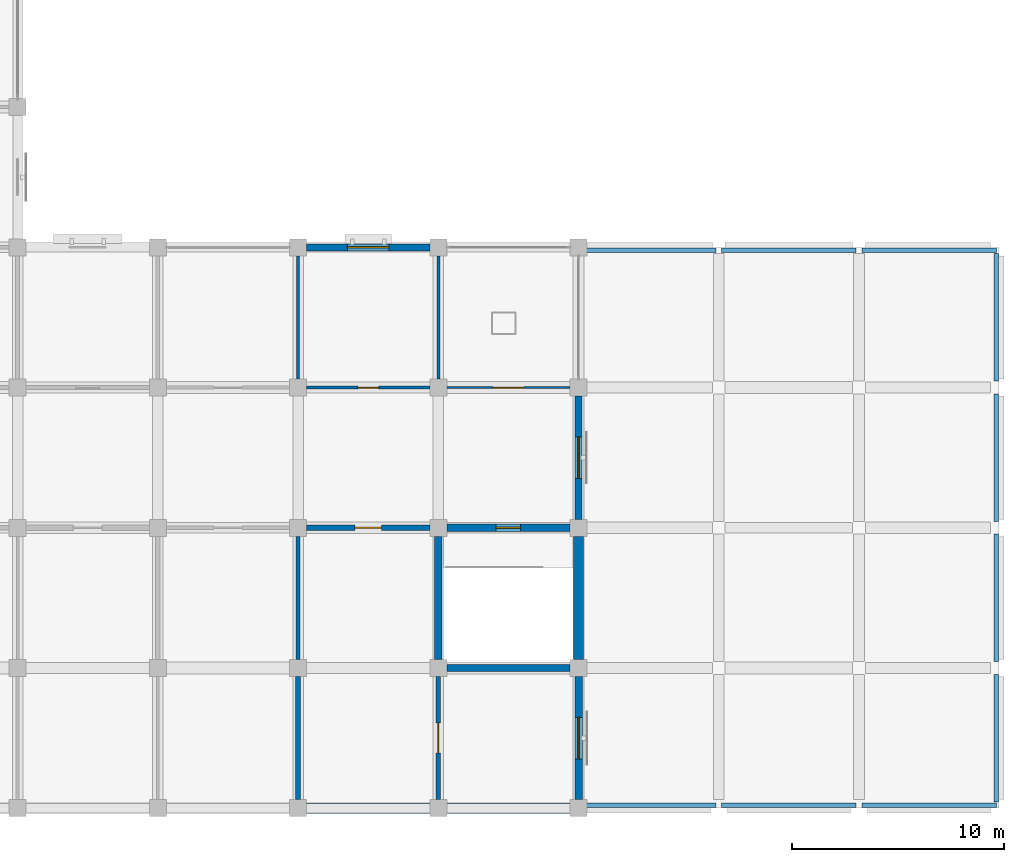
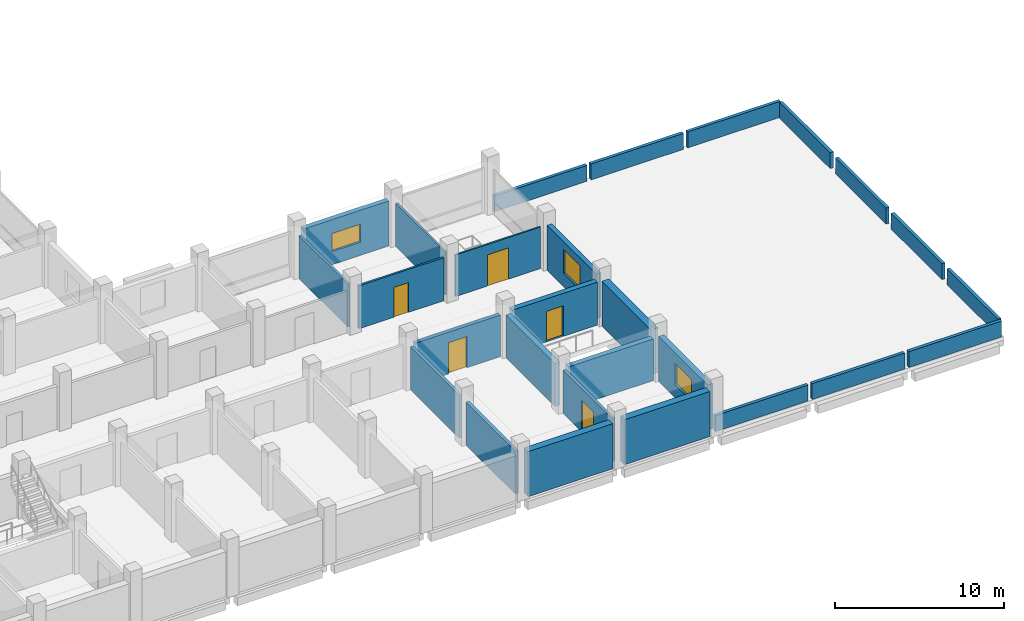
# One storey, part 21 of 30: 27 walls, 5 doors, 3 windows, 8 openings.
"""IFC4 building model written with IfcOpenShell, lengths in metres."""

from ifc_helpers import new_model, si_unit, direction, frame, frame_2d, origin, place, context, subcontext, project, spatial, rectangle, extrude, material, layer, layer_set, type_object, element, fill, save


model = new_model("IFC4")

# Units and contexts
model_context = context("Model", 3, precision=1e-05, world=origin(), true_north=direction((0.0, 1.0)))
body_context = subcontext(model_context, "Body", "Model", "MODEL_VIEW")
ifc_project = project(units=[si_unit("LENGTHUNIT", "METRE"), si_unit("AREAUNIT", "SQUARE_METRE"), si_unit("VOLUMEUNIT", "CUBIC_METRE"), si_unit("PLANEANGLEUNIT", "RADIAN"), si_unit("MASSUNIT", "GRAM", prefix="KILO")], contexts=[model_context])

# Site, building, storey
site_placement = place(None, origin())
site = spatial("IfcSite", under=ifc_project, at=site_placement, CompositionType="ELEMENT")
building_placement = place(site_placement, origin())
building = spatial("IfcBuilding", under=site, at=building_placement, Name="Rusizi Kubbe Research Institute", CompositionType="ELEMENT")
storey_placement = place(building_placement, frame((0.0, 0.0, 10.199951171875)))
storey = spatial("IfcBuildingStorey", under=building, at=storey_placement, Name="L02", CompositionType="ELEMENT", Elevation=10.199951171875)

# Wall
ifc_material_1 = material(Name="Concrete C45/55", Category="concrete")
ifc_layer_1 = layer(ifc_material_1, 0.35009765625)
ifc_layer_set_1 = layer_set([ifc_layer_1], Name="Concrete C45/55")
wall_type_1 = type_object("IfcWallType", Name="CRW-01", PredefinedType="SHEAR", material=ifc_layer_set_1)
wall_1_placement = place(storey_placement, frame((73.0, 6.60009765625, 0.0), z_axis=(0.0, 0.0, 1.0), x_axis=(1.0, 0.0, 0.0)))
element("IfcWall", 1, at=wall_1_placement, inside=storey, type_object=wall_type_1, Name="Stair Core Shear Wall ST7 L02 S", PredefinedType="SHEAR", context=body_context, shape_type="SweptSolid", body=[
    extrude(rectangle(XDim=5.800048828125, YDim=0.35009765625, at=frame_2d((2.89990234375, 0.0))), origin(), (0.0, 0.0, 1.0), 3.0),
])

# Wall, opening, door
wall_2_placement = place(storey_placement, frame((73.0, 13.199951171875, 0.0), z_axis=(0.0, 0.0, 1.0), x_axis=(1.0, 0.0, 0.0)))
wall_2 = element("IfcWall", 2, at=wall_2_placement, inside=storey, type_object=wall_type_1, Name="Stair Core Shear Wall ST7 L02 N", PredefinedType="SHEAR", context=body_context, shape_type="SweptSolid", body=[
    extrude(rectangle(XDim=5.800048828125, YDim=0.35009765625, at=frame_2d((2.89990234375, 0.0))), origin(), (0.0, 0.0, 1.0), 3.10009765625),
])
opening_1_placement = place(wall_2_placement, frame((2.324951171875, 0.0, 0.0)))
opening_1 = element("IfcOpeningElement", 3, at=opening_1_placement, cuts=wall_2, Name="Opening D-02", PredefinedType="OPENING", context=body_context, shape_type="SweptSolid", body=[
    extrude(rectangle(XDim=1.14990234375, YDim=2.199951171875, at=frame_2d((0.574951171875, 1.10009765625))), frame((0.0, 0.18505859375, 0.0), z_axis=(0.0, -1.0, 0.0), x_axis=(1.0, 0.0, 0.0)), (0.0, 0.0, 1.0), 0.3701171875),
])
ifc_material_2 = material(Name="Fire-Rated Steel Frame and Acoustic Timber Leaf", Category="wood")
door_type_1 = type_object("IfcDoorType", Name="ID-STAIR-115", OperationType="NOTDEFINED", PredefinedType="DOOR", material=ifc_material_2)
door_1_placement = place(opening_1_placement, origin())
door_1 = element("IfcDoor", 4, at=door_1_placement, inside=storey, type_object=door_type_1, Name="Exit Stair Door ST7 L02", OperationType="SINGLE_SWING_RIGHT", OverallHeight=2.199951171875, OverallWidth=1.14990234375, PredefinedType="DOOR", context=body_context, shape_type="SweptSolid", body=[
    extrude(rectangle(XDim=1.14990234375, YDim=2.199951171875, at=frame_2d((0.574951171875, 1.10009765625))), frame((0.0, 0.02490234375, 0.0), z_axis=(0.0, -1.0, 0.0), x_axis=(1.0, 0.0, 0.0)), (0.0, 0.0, 1.0), 0.050048828125),
])
fill(opening_1, door_1)

# Wall
wall_3_placement = place(storey_placement, frame((72.60009765625, 7.0, 0.0), z_axis=(0.0, 0.0, 1.0), x_axis=(0.0, 1.0, 0.0)))
element("IfcWall", 5, at=wall_3_placement, inside=storey, type_object=wall_type_1, Name="Stair Core Shear Wall ST7 L02 W", PredefinedType="SHEAR", context=body_context, shape_type="SweptSolid", body=[
    extrude(rectangle(XDim=5.800048828125, YDim=0.35009765625, at=frame_2d((2.89990234375, 0.0))), origin(), (0.0, 0.0, 1.0), 3.10009765625),
])

# Wall, opening, window
ifc_material_3 = material(Name="Volcanic Basalt Ashlar Masonry", Category="masonry")
ifc_layer_2 = layer(ifc_material_3, 0.35498046875)
ifc_layer_set_2 = layer_set([ifc_layer_2], Name="Volcanic Basalt Ashlar Masonry")
wall_type_2 = type_object("IfcWallType", Name="EW-06", PredefinedType="SOLIDWALL", material=ifc_layer_set_2)
wall_4_placement = place(storey_placement, frame((79.199951171875, 0.39990234375, 0.0), z_axis=(0.0, 0.0, 1.0), x_axis=(0.0, 1.0, 0.0)))
wall_4 = element("IfcWall", 6, at=wall_4_placement, inside=storey, type_object=wall_type_2, Name="Ablaq Stone Exterior Wall L02 V12-0", PredefinedType="SOLIDWALL", context=body_context, shape_type="SweptSolid", body=[
    extrude(rectangle(XDim=5.800048828125, YDim=0.35498046875, at=frame_2d((2.89990234375, 0.0))), origin(), (0.0, 0.0, 1.0), 3.25),
])
opening_2_placement = place(wall_4_placement, frame((1.919921875, 0.0, 0.949951171875)))
opening_2 = element("IfcOpeningElement", 7, at=opening_2_placement, cuts=wall_4, Name="Opening WN-26", PredefinedType="OPENING", context=body_context, shape_type="SweptSolid", body=[
    extrude(rectangle(XDim=1.9599609375, YDim=1.52001953125, at=frame_2d((0.97998046875, 0.760009765625))), frame((0.0, 0.1875, 0.0), z_axis=(0.0, -1.0, 0.0), x_axis=(1.0, 0.0, 0.0)), (0.0, 0.0, 1.0), 0.375),
])
ifc_material_4 = material(Name="Aluminium Frame and Solar-Control Double Glazing", Category="glass")
window_type_1 = type_object("IfcWindowType", Name="WN-26", PartitioningType="DOUBLE_PANEL_VERTICAL", PredefinedType="WINDOW", material=ifc_material_4)
window_1_placement = place(opening_2_placement, origin())
window_1 = element("IfcWindow", 8, at=window_1_placement, inside=storey, type_object=window_type_1, Name="Casement Window WN-26 L02", OverallHeight=1.52001953125, OverallWidth=1.9599609375, PartitioningType="DOUBLE_PANEL_VERTICAL", PredefinedType="WINDOW", context=body_context, shape_type="SweptSolid", body=[
    extrude(rectangle(XDim=1.9599609375, YDim=1.52001953125, at=frame_2d((0.97998046875, 0.760009765625))), frame((0.0, 0.030029296875, 0.0), z_axis=(0.0, -1.0, 0.0), x_axis=(1.0, 0.0, 0.0)), (0.0, 0.0, 1.0), 0.06005859375),
])
fill(opening_2, window_1)

ifc_material_5 = material(Name="Volcanic Basalt Ashlar Masonry", Category="masonry")
ifc_layer_3 = layer(ifc_material_5, 0.324951171875)
ifc_layer_set_3 = layer_set([ifc_layer_3], Name="Volcanic Basalt Ashlar Masonry")
wall_type_3 = type_object("IfcWallType", Name="EW-08", PredefinedType="SOLIDWALL", material=ifc_layer_set_3)
wall_5_placement = place(storey_placement, frame((66.39990234375, 26.39990234375, 0.0), z_axis=(0.0, 0.0, 1.0), x_axis=(1.0, 0.0, 0.0)))
wall_5 = element("IfcWall", 9, at=wall_5_placement, inside=storey, type_object=wall_type_3, Name="Ablaq Stone Exterior Wall L02 H10-4", PredefinedType="SOLIDWALL", context=body_context, shape_type="SweptSolid", body=[
    extrude(rectangle(XDim=5.800048828125, YDim=0.324951171875, at=frame_2d((2.89990234375, 0.0))), origin(), (0.0, 0.0, 1.0), 3.25),
])
opening_3_placement = place(wall_5_placement, frame((1.919921875, 0.0, 0.949951171875)))
opening_3 = element("IfcOpeningElement", 10, at=opening_3_placement, cuts=wall_5, Name="Opening WN-25", PredefinedType="OPENING", context=body_context, shape_type="SweptSolid", body=[
    extrude(rectangle(XDim=1.9599609375, YDim=1.300048828125, at=frame_2d((0.97998046875, 0.64990234375))), frame((0.0, 0.17236328125, 0.0), z_axis=(0.0, -1.0, 0.0), x_axis=(1.0, 0.0, 0.0)), (0.0, 0.0, 1.0), 0.344970703125),
])
ifc_material_6 = material(Name="Aluminium Frame and Solar-Control Double Glazing", Category="glass")
window_type_2 = type_object("IfcWindowType", Name="WN-25", PartitioningType="DOUBLE_PANEL_VERTICAL", PredefinedType="WINDOW", material=ifc_material_6)
window_2_placement = place(opening_3_placement, origin())
window_2 = element("IfcWindow", 11, at=window_2_placement, inside=storey, type_object=window_type_2, Name="Casement Window WN-25 L02", OverallHeight=1.300048828125, OverallWidth=1.9599609375, PartitioningType="DOUBLE_PANEL_VERTICAL", PredefinedType="WINDOW", context=body_context, shape_type="SweptSolid", body=[
    extrude(rectangle(XDim=1.9599609375, YDim=1.300048828125, at=frame_2d((0.97998046875, 0.64990234375))), frame((0.0, 0.030029296875, 0.0), z_axis=(0.0, -1.0, 0.0), x_axis=(1.0, 0.0, 0.0)), (0.0, 0.0, 1.0), 0.06005859375),
])
fill(opening_3, window_2)

wall_6_placement = place(storey_placement, frame((79.199951171875, 13.60009765625, 0.0), z_axis=(0.0, 0.0, 1.0), x_axis=(0.0, 1.0, 0.0)))
wall_6 = element("IfcWall", 12, at=wall_6_placement, inside=storey, type_object=wall_type_3, Name="Ablaq Stone Exterior Wall L02 V12-2", PredefinedType="SOLIDWALL", context=body_context, shape_type="SweptSolid", body=[
    extrude(rectangle(XDim=5.7998046875, YDim=0.324951171875, at=frame_2d((2.89990234375, 0.0))), origin(), (0.0, 0.0, 1.0), 3.25),
])
opening_4_placement = place(wall_6_placement, frame((1.919921875, 0.0, 0.949951171875)))
opening_4 = element("IfcOpeningElement", 13, at=opening_4_placement, cuts=wall_6, Name="Opening WN-27", PredefinedType="OPENING", context=body_context, shape_type="SweptSolid", body=[
    extrude(rectangle(XDim=1.9599609375, YDim=1.739990234375, at=frame_2d((0.97998046875, 0.8701171875))), frame((0.0, 0.17236328125, 0.0), z_axis=(0.0, -1.0, 0.0), x_axis=(1.0, 0.0, 0.0)), (0.0, 0.0, 1.0), 0.344970703125),
])
ifc_material_7 = material(Name="Aluminium Frame and Solar-Control Double Glazing", Category="glass")
window_type_3 = type_object("IfcWindowType", Name="WN-27", PartitioningType="DOUBLE_PANEL_VERTICAL", PredefinedType="WINDOW", material=ifc_material_7)
window_3_placement = place(opening_4_placement, origin())
window_3 = element("IfcWindow", 14, at=window_3_placement, inside=storey, type_object=window_type_3, Name="Casement Window WN-27 L02", OverallHeight=1.739990234375, OverallWidth=1.9599609375, PartitioningType="DOUBLE_PANEL_VERTICAL", PredefinedType="WINDOW", context=body_context, shape_type="SweptSolid", body=[
    extrude(rectangle(XDim=1.9599609375, YDim=1.739990234375, at=frame_2d((0.97998046875, 0.8701171875))), frame((0.0, 0.030029296875, 0.0), z_axis=(0.0, -1.0, 0.0), x_axis=(1.0, 0.0, 0.0)), (0.0, 0.0, 1.0), 0.06005859375),
])
fill(opening_4, window_3)

# Walls
ifc_material_8 = material(Name="Concrete Blockwork Fire Partition", Category="masonry")
ifc_layer_4 = layer(ifc_material_8, 0.22509765625)
ifc_layer_set_4 = layer_set([ifc_layer_4], Name="Concrete Blockwork Fire Partition")
wall_type_4 = type_object("IfcWallType", Name="IW-01", PredefinedType="PARTITIONING", material=ifc_layer_set_4)
wall_7_placement = place(storey_placement, frame((66.0, 0.39990234375, 0.0), z_axis=(0.0, 0.0, 1.0), x_axis=(0.0, 1.0, 0.0)))
element("IfcWall", 15, at=wall_7_placement, inside=storey, type_object=wall_type_4, Name="Interior Partition Wall L02 V10-0", PredefinedType="PARTITIONING", context=body_context, shape_type="SweptSolid", body=[
    extrude(rectangle(XDim=5.800048828125, YDim=0.22509765625, at=frame_2d((2.89990234375, 0.0))), origin(), (0.0, 0.0, 1.0), 3.10009765625),
])
ifc_material_9 = material(Name="Insulated Cleanroom Partition", Category="masonry")
ifc_layer_5 = layer(ifc_material_9, 0.195068359375)
ifc_layer_set_5 = layer_set([ifc_layer_5], Name="Insulated Cleanroom Partition")
wall_type_5 = type_object("IfcWallType", Name="IW-02", PredefinedType="PARTITIONING", material=ifc_layer_set_5)
wall_8_placement = place(storey_placement, frame((66.0, 7.0, 0.0), z_axis=(0.0, 0.0, 1.0), x_axis=(0.0, 1.0, 0.0)))
element("IfcWall", 16, at=wall_8_placement, inside=storey, type_object=wall_type_5, Name="Interior Partition Wall L02 V10-1", PredefinedType="PARTITIONING", context=body_context, shape_type="SweptSolid", body=[
    extrude(rectangle(XDim=5.800048828125, YDim=0.195068359375, at=frame_2d((2.89990234375, 0.0))), origin(), (0.0, 0.0, 1.0), 3.10009765625),
])

# Wall, opening, door
wall_9_placement = place(storey_placement, frame((72.60009765625, 0.39990234375, 0.0), z_axis=(0.0, 0.0, 1.0), x_axis=(0.0, 1.0, 0.0)))
wall_9 = element("IfcWall", 17, at=wall_9_placement, inside=storey, type_object=wall_type_5, Name="Interior Partition Wall L02 V11-0", PredefinedType="PARTITIONING", context=body_context, shape_type="SweptSolid", body=[
    extrude(rectangle(XDim=5.800048828125, YDim=0.195068359375, at=frame_2d((2.89990234375, 0.0))), origin(), (0.0, 0.0, 1.0), 3.10009765625),
])
opening_5_placement = place(wall_9_placement, frame((2.199951171875, 0.0, 0.0)))
opening_5 = element("IfcOpeningElement", 18, at=opening_5_placement, cuts=wall_9, Name="Opening D-12", PredefinedType="OPENING", context=body_context, shape_type="SweptSolid", body=[
    extrude(rectangle(XDim=1.39990234375, YDim=2.25, at=frame_2d((0.699951171875, 1.125))), frame((0.0, 0.107421875, 0.0), z_axis=(0.0, -1.0, 0.0), x_axis=(1.0, 0.0, 0.0)), (0.0, 0.0, 1.0), 0.215087890625),
])
ifc_material_10 = material(Name="Fire-Rated Steel Frame and Acoustic Timber Leaf", Category="wood")
door_type_2 = type_object("IfcDoorType", Name="ID-LAB-140", OperationType="NOTDEFINED", PredefinedType="DOOR", material=ifc_material_10)
door_2_placement = place(opening_5_placement, origin())
door_2 = element("IfcDoor", 19, at=door_2_placement, inside=storey, type_object=door_type_2, Name="Door to Laboratory Instrument Support Room (L02-EWU-11)", OperationType="SINGLE_SWING_RIGHT", OverallHeight=2.25, OverallWidth=1.39990234375, PredefinedType="DOOR", context=body_context, shape_type="SweptSolid", body=[
    extrude(rectangle(XDim=1.39990234375, YDim=2.25, at=frame_2d((0.699951171875, 1.125))), frame((0.0, 0.02490234375, 0.0), z_axis=(0.0, -1.0, 0.0), x_axis=(1.0, 0.0, 0.0)), (0.0, 0.0, 1.0), 0.050048828125),
])
fill(opening_5, door_2)

# Wall
ifc_material_11 = material(Name="Fire-Rated Corridor Partition", Category="masonry")
ifc_layer_6 = layer(ifc_material_11, 0.155029296875)
ifc_layer_set_6 = layer_set([ifc_layer_6], Name="Fire-Rated Corridor Partition")
wall_type_6 = type_object("IfcWallType", Name="IW-04", PredefinedType="PARTITIONING", material=ifc_layer_set_6)
wall_10_placement = place(storey_placement, frame((66.0, 20.199951171875, 0.0), z_axis=(0.0, 0.0, 1.0), x_axis=(0.0, 1.0, 0.0)))
element("IfcWall", 20, at=wall_10_placement, inside=storey, type_object=wall_type_6, Name="Interior Partition Wall L02 V10-3", PredefinedType="PARTITIONING", context=body_context, shape_type="SweptSolid", body=[
    extrude(rectangle(XDim=5.800048828125, YDim=0.155029296875, at=frame_2d((2.89990234375, 0.0))), origin(), (0.0, 0.0, 1.0), 3.10009765625),
])

# Wall, opening, door
ifc_material_12 = material(Name="Write-up Glazed Acoustic Partition", Category="masonry")
ifc_layer_7 = layer(ifc_material_12, 0.139892578125)
ifc_layer_set_7 = layer_set([ifc_layer_7], Name="Write-up Glazed Acoustic Partition")
wall_type_7 = type_object("IfcWallType", Name="IW-05", PredefinedType="PARTITIONING", material=ifc_layer_set_7)
wall_11_placement = place(storey_placement, frame((66.39990234375, 19.800048828125, 0.0), z_axis=(0.0, 0.0, 1.0), x_axis=(1.0, 0.0, 0.0)))
wall_11 = element("IfcWall", 21, at=wall_11_placement, inside=storey, type_object=wall_type_7, Name="Interior Partition Wall L02 H10-3", PredefinedType="PARTITIONING", context=body_context, shape_type="SweptSolid", body=[
    extrude(rectangle(XDim=5.800048828125, YDim=0.139892578125, at=frame_2d((2.89990234375, 0.0))), origin(), (0.0, 0.0, 1.0), 3.10009765625),
])
opening_6_placement = place(wall_11_placement, frame((2.409912109375, 0.0, 0.0)))
opening_6 = element("IfcOpeningElement", 22, at=opening_6_placement, cuts=wall_11, Name="Opening D-20", PredefinedType="OPENING", context=body_context, shape_type="SweptSolid", body=[
    extrude(rectangle(XDim=0.97998046875, YDim=2.14990234375, at=frame_2d((0.489990234375, 1.074951171875))), frame((0.0, 0.079833984375, 0.0), z_axis=(0.0, -1.0, 0.0), x_axis=(1.0, 0.0, 0.0)), (0.0, 0.0, 1.0), 0.159912109375),
])
ifc_material_13 = material(Name="Fire-Rated Steel Frame and Acoustic Timber Leaf", Category="wood")
door_type_3 = type_object("IfcDoorType", Name="ID-OFF-980", OperationType="NOTDEFINED", PredefinedType="DOOR", material=ifc_material_13)
door_3_placement = place(opening_6_placement, origin())
door_3 = element("IfcDoor", 23, at=door_3_placement, inside=storey, type_object=door_type_3, Name="Door to Write-up Office (L02-EWN-03)", OperationType="SINGLE_SWING_LEFT", OverallHeight=2.14990234375, OverallWidth=0.97998046875, PredefinedType="DOOR", context=body_context, shape_type="SweptSolid", body=[
    extrude(rectangle(XDim=0.97998046875, YDim=2.14990234375, at=frame_2d((0.489990234375, 1.074951171875))), frame((0.0, 0.02490234375, 0.0), z_axis=(0.0, -1.0, 0.0), x_axis=(1.0, 0.0, 0.0)), (0.0, 0.0, 1.0), 0.050048828125),
])
fill(opening_6, door_3)

# Wall
wall_12_placement = place(storey_placement, frame((72.60009765625, 20.199951171875, 0.0), z_axis=(0.0, 0.0, 1.0), x_axis=(0.0, 1.0, 0.0)))
element("IfcWall", 24, at=wall_12_placement, inside=storey, type_object=wall_type_7, Name="Interior Partition Wall L02 V11-3", PredefinedType="PARTITIONING", context=body_context, shape_type="SweptSolid", body=[
    extrude(rectangle(XDim=5.800048828125, YDim=0.139892578125, at=frame_2d((2.89990234375, 0.0))), origin(), (0.0, 0.0, 1.0), 3.10009765625),
])

# Wall, opening, door
ifc_material_14 = material(Name="Sub-Suite Fire Partition", Category="masonry")
ifc_layer_8 = layer(ifc_material_14, 0.110107421875)
ifc_layer_set_8 = layer_set([ifc_layer_8], Name="Sub-Suite Fire Partition")
wall_type_8 = type_object("IfcWallType", Name="IW-07", PredefinedType="PARTITIONING", material=ifc_layer_set_8)
wall_13_placement = place(storey_placement, frame((73.0, 19.800048828125, 0.0), z_axis=(0.0, 0.0, 1.0), x_axis=(1.0, 0.0, 0.0)))
wall_13 = element("IfcWall", 25, at=wall_13_placement, inside=storey, type_object=wall_type_8, Name="Interior Partition Wall L02 H11-3", PredefinedType="PARTITIONING", context=body_context, shape_type="SweptSolid", body=[
    extrude(rectangle(XDim=5.800048828125, YDim=0.110107421875, at=frame_2d((2.89990234375, 0.0))), origin(), (0.0, 0.0, 1.0), 3.0),
])
opening_7_placement = place(wall_13_placement, frame((2.175048828125, 0.0, 0.0)))
opening_7 = element("IfcOpeningElement", 26, at=opening_7_placement, cuts=wall_13, Name="Opening D-11", PredefinedType="OPENING", context=body_context, shape_type="SweptSolid", body=[
    extrude(rectangle(XDim=1.449951171875, YDim=2.25, at=frame_2d((0.72509765625, 1.125))), frame((0.0, 0.06494140625, 0.0), z_axis=(0.0, -1.0, 0.0), x_axis=(1.0, 0.0, 0.0)), (0.0, 0.0, 1.0), 0.130126953125),
])
ifc_material_15 = material(Name="Fire-Rated Steel Frame and Acoustic Timber Leaf", Category="wood")
door_type_4 = type_object("IfcDoorType", Name="ID-LAB-145", OperationType="NOTDEFINED", PredefinedType="DOOR", material=ifc_material_15)
door_4_placement = place(opening_7_placement, origin())
door_4 = element("IfcDoor", 27, at=door_4_placement, inside=storey, type_object=door_type_4, Name="Door to Molecular Diagnostics Laboratory (L02-EWN-04)", OperationType="SINGLE_SWING_LEFT", OverallHeight=2.25, OverallWidth=1.449951171875, PredefinedType="DOOR", context=body_context, shape_type="SweptSolid", body=[
    extrude(rectangle(XDim=1.449951171875, YDim=2.25, at=frame_2d((0.72509765625, 1.125))), frame((0.0, 0.02490234375, 0.0), z_axis=(0.0, -1.0, 0.0), x_axis=(1.0, 0.0, 0.0)), (0.0, 0.0, 1.0), 0.050048828125),
])
fill(opening_7, door_4)

# Walls
ifc_material_16 = material(Name="Volcanic Basalt Ashlar Masonry", Category="masonry")
ifc_layer_9 = layer(ifc_material_16, 0.215087890625)
ifc_layer_set_9 = layer_set([ifc_layer_9], Name="Volcanic Basalt Ashlar Masonry")
wall_type_9 = type_object("IfcWallType", Name="PRP-02", PredefinedType="PARAPET", material=ifc_layer_set_9)
for number, where, z_axis, x_axis, name in (
    (28, (79.340087890625, 0.139892578125, 0.0), (0.0, 0.0, 1.0), (1.0, 0.0, 0.0), "Roof Parapet Wall L02-013"),
    (29, (79.340087890625, 26.260009765625, 0.0), (0.0, 0.0, 1.0), (1.0, 0.0, 0.0), "Roof Parapet Wall L02-014"),
):
    element("IfcWall", number, at=place(storey_placement, frame(where, z_axis=z_axis, x_axis=x_axis)), inside=storey, type_object=wall_type_9, Name=name, PredefinedType="PARAPET", context=body_context, shape_type="SweptSolid", body=[
        extrude(rectangle(XDim=6.31982421875, YDim=0.215087890625, at=frame_2d((3.159912109375, 0.0))), origin(), (0.0, 0.0, 1.0), 1.150146484375),
    ])
for number, where, z_axis, x_axis, name in (
    (30, (85.93994140625, 0.139892578125, 0.0), (0.0, 0.0, 1.0), (1.0, 0.0, 0.0), "Roof Parapet Wall L02-015"),
    (31, (85.93994140625, 26.260009765625, 0.0), (0.0, 0.0, 1.0), (1.0, 0.0, 0.0), "Roof Parapet Wall L02-016"),
    (32, (92.5400390625, 0.139892578125, 0.0), (0.0, 0.0, 1.0), (1.0, 0.0, 0.0), "Roof Parapet Wall L02-017"),
):
    element("IfcWall", number, at=place(storey_placement, frame(where, z_axis=z_axis, x_axis=x_axis)), inside=storey, type_object=wall_type_9, Name=name, PredefinedType="PARAPET", context=body_context, shape_type="SweptSolid", body=[
        extrude(rectangle(XDim=6.320068359375, YDim=0.215087890625, at=frame_2d((3.16015625, 0.0))), origin(), (0.0, 0.0, 1.0), 1.150146484375),
    ])
for number, where, z_axis, x_axis, name in (
    (33, (98.860107421875, 0.300048828125, 0.0), (0.0, 0.0, 1.0), (0.0, 1.0, 0.0), "Roof Parapet Wall L02-018"),
    (34, (98.860107421875, 6.89990234375, 0.0), (0.0, 0.0, 1.0), (0.0, 1.0, 0.0), "Roof Parapet Wall L02-019"),
    (35, (98.860107421875, 13.5, 0.0), (0.0, 0.0, 1.0), (0.0, 1.0, 0.0), "Roof Parapet Wall L02-020"),
):
    element("IfcWall", number, at=place(storey_placement, frame(where, z_axis=z_axis, x_axis=x_axis)), inside=storey, type_object=wall_type_9, Name=name, PredefinedType="PARAPET", context=body_context, shape_type="SweptSolid", body=[
        extrude(rectangle(XDim=6.0, YDim=0.215087890625, at=frame_2d((3.0, 0.0))), origin(), (0.0, 0.0, 1.0), 1.150146484375),
    ])
wall_14_placement = place(storey_placement, frame((92.5400390625, 26.260009765625, 0.0), z_axis=(0.0, 0.0, 1.0), x_axis=(1.0, 0.0, 0.0)))
element("IfcWall", 36, at=wall_14_placement, inside=storey, type_object=wall_type_9, Name="Roof Parapet Wall L02-021", PredefinedType="PARAPET", context=body_context, shape_type="SweptSolid", body=[
    extrude(rectangle(XDim=6.320068359375, YDim=0.215087890625, at=frame_2d((3.16015625, 0.0))), origin(), (0.0, 0.0, 1.0), 1.150146484375),
])
wall_15_placement = place(storey_placement, frame((98.860107421875, 20.10009765625, 0.0), z_axis=(0.0, 0.0, 1.0), x_axis=(0.0, 1.0, 0.0)))
element("IfcWall", 37, at=wall_15_placement, inside=storey, type_object=wall_type_9, Name="Roof Parapet Wall L02-022", PredefinedType="PARAPET", context=body_context, shape_type="SweptSolid", body=[
    extrude(rectangle(XDim=6.0, YDim=0.215087890625, at=frame_2d((3.0, 0.0))), origin(), (0.0, 0.0, 1.0), 1.150146484375),
])
ifc_material_17 = material(Name="Concrete C40/50", Category="concrete")
ifc_layer_10 = layer(ifc_material_17, 0.47998046875)
ifc_layer_set_10 = layer_set([ifc_layer_10], Name="Concrete C40/50")
wall_type_10 = type_object("IfcWallType", Name="PW-01", PredefinedType="SOLIDWALL", material=ifc_layer_set_10)
for number, where, z_axis, x_axis, name in (
    (38, (66.39990234375, 0.0, 0.0), (0.0, 0.0, 1.0), (1.0, 0.0, 0.0), "Blind Party Wall L02 H10-0"),
    (39, (73.0, 0.0, 0.0), (0.0, 0.0, 1.0), (1.0, 0.0, 0.0), "Blind Party Wall L02 H11-0"),
    (40, (79.199951171875, 7.0, 0.0), (0.0, 0.0, 1.0), (0.0, 1.0, 0.0), "Core Shear Exterior Wall L02 V12-1"),
):
    element("IfcWall", number, at=place(storey_placement, frame(where, z_axis=z_axis, x_axis=x_axis)), inside=storey, type_object=wall_type_10, Name=name, PredefinedType="SOLIDWALL", context=body_context, shape_type="SweptSolid", body=[
        extrude(rectangle(XDim=5.800048828125, YDim=0.47998046875, at=frame_2d((2.89990234375, 0.0))), origin(), (0.0, 0.0, 1.0), 3.25),
    ])

# Wall, opening, door
ifc_material_18 = material(Name="Concrete C40/50", Category="concrete")
ifc_layer_11 = layer(ifc_material_18, 0.2548828125)
ifc_layer_set_11 = layer_set([ifc_layer_11], Name="Concrete C40/50")
wall_type_11 = type_object("IfcWallType", Name="SHW-02", PredefinedType="SHEAR", material=ifc_layer_set_11)
wall_16_placement = place(storey_placement, frame((66.39990234375, 13.199951171875, 0.0), z_axis=(0.0, 0.0, 1.0), x_axis=(1.0, 0.0, 0.0)))
wall_16 = element("IfcWall", 41, at=wall_16_placement, inside=storey, type_object=wall_type_11, Name="Interior Partition Wall L02 H10-2", PredefinedType="SHEAR", context=body_context, shape_type="SweptSolid", body=[
    extrude(rectangle(XDim=5.800048828125, YDim=0.2548828125, at=frame_2d((2.89990234375, 0.0))), origin(), (0.0, 0.0, 1.0), 3.0),
])
opening_8_placement = place(wall_16_placement, frame((2.27490234375, 0.0, 0.0)))
opening_8 = element("IfcOpeningElement", 42, at=opening_8_placement, cuts=wall_16, Name="Opening D-15", PredefinedType="OPENING", context=body_context, shape_type="SweptSolid", body=[
    extrude(rectangle(XDim=1.25, YDim=2.25, at=frame_2d((0.625, 1.125))), frame((0.0, 0.137451171875, 0.0), z_axis=(0.0, -1.0, 0.0), x_axis=(1.0, 0.0, 0.0)), (0.0, 0.0, 1.0), 0.27490234375),
])
ifc_material_19 = material(Name="Fire-Rated Steel Frame and Acoustic Timber Leaf", Category="wood")
door_type_5 = type_object("IfcDoorType", Name="ID-LAB-125", OperationType="NOTDEFINED", PredefinedType="DOOR", material=ifc_material_19)
door_5_placement = place(opening_8_placement, origin())
door_5 = element("IfcDoor", 43, at=door_5_placement, inside=storey, type_object=door_type_5, Name="Door to Clean Room Process Suite (L02-EWS-06)", OperationType="SINGLE_SWING_LEFT", OverallHeight=2.25, OverallWidth=1.25, PredefinedType="DOOR", context=body_context, shape_type="SweptSolid", body=[
    extrude(rectangle(XDim=1.25, YDim=2.25, at=frame_2d((0.625, 1.125))), frame((0.0, 0.02490234375, 0.0), z_axis=(0.0, -1.0, 0.0), x_axis=(1.0, 0.0, 0.0)), (0.0, 0.0, 1.0), 0.050048828125),
])
fill(opening_8, door_5)

save(model, "model.ifc")
